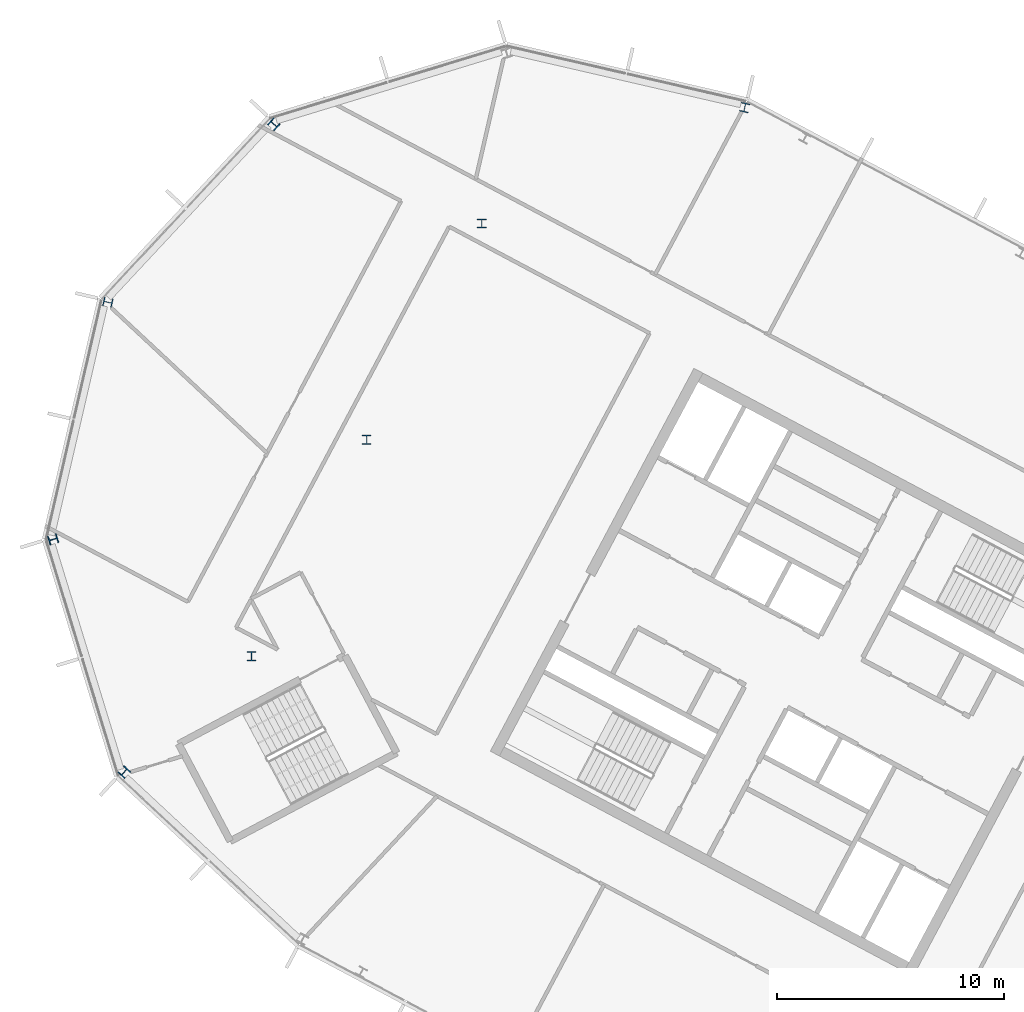
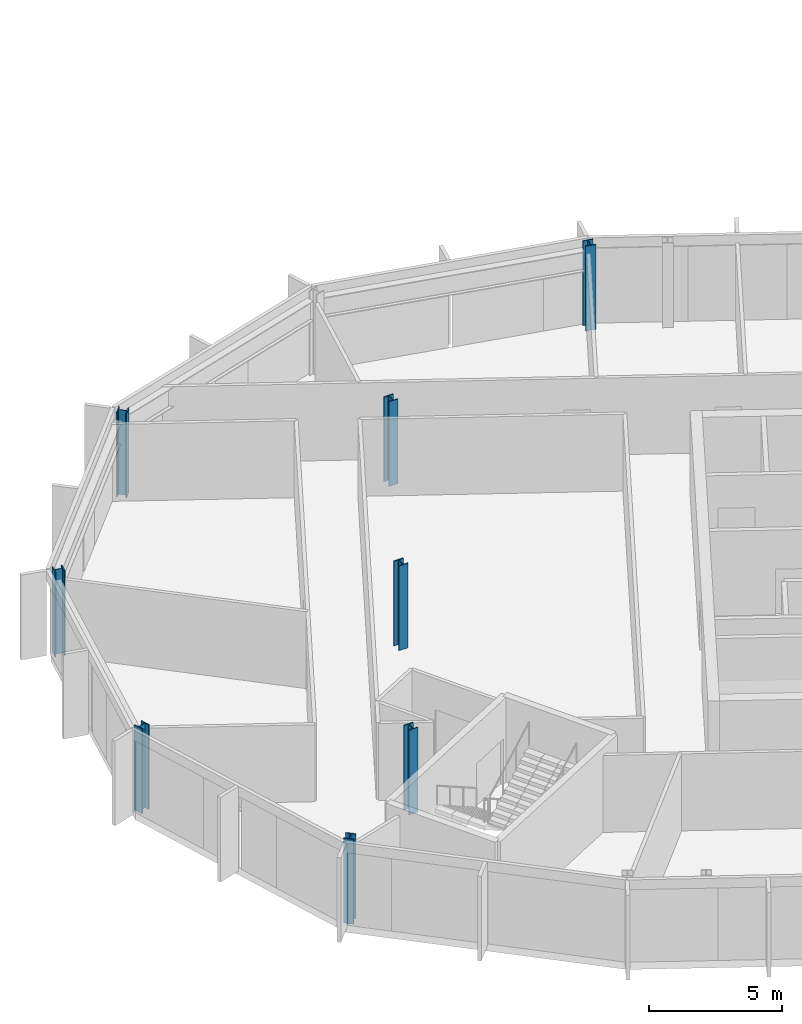
# One storey, part 3 of 26: 8 columns.
"""IFC4 building model written with IfcOpenShell, lengths in metres."""

from ifc_helpers import new_model, si_unit, direction, frame, origin, origin_2d, place, context, subcontext, project, spatial, i_section, extrude, material, material_profile, profile_set, type_object, element, save


model = new_model("IFC4")

# Units and contexts
model_context = context("Model", 3, precision=1e-05, world=origin(), true_north=direction((0.0, 1.0)))
body_context = subcontext(model_context, "Body", "Model", "MODEL_VIEW")
ifc_project = project(units=[si_unit("LENGTHUNIT", "METRE"), si_unit("AREAUNIT", "SQUARE_METRE"), si_unit("VOLUMEUNIT", "CUBIC_METRE"), si_unit("PLANEANGLEUNIT", "RADIAN"), si_unit("MASSUNIT", "GRAM", prefix="KILO")], contexts=[model_context])

# Site, building, storey
site_placement = place(None, origin())
site = spatial("IfcSite", under=ifc_project, at=site_placement, CompositionType="ELEMENT")
building_placement = place(site_placement, origin())
building = spatial("IfcBuilding", under=site, at=building_placement, Name="Cormorant Relay Tower", CompositionType="ELEMENT")
storey_placement = place(building_placement, frame((0.0, 0.0, 304.800048828125)))
storey = spatial("IfcBuildingStorey", under=building, at=storey_placement, Name="L69", CompositionType="ELEMENT", Elevation=304.800048828125)

# Columns
ifc_material = material(Name="Steel ASTM A992 (Fy 345 MPa)", Category="steel")
ifc_material_profile = material_profile(ifc_material, i_section(OverallWidth=0.40380859375, OverallDepth=0.406494140625, WebThickness=0.027099609375, FlangeThickness=0.043701171875, FilletRadius=0.01513671875, at=origin_2d()), Name="W360x347")
ifc_profile_set = profile_set([ifc_material_profile], Name="Steel ASTM A992 (Fy 345 MPa)")
column_type = type_object("IfcColumnType", Name="Column W360x347", PredefinedType="COLUMN", material=ifc_profile_set)
for number, where, z_axis, x_axis, name in (
    (1, (-57.2958984375, 10.152099609375, 0.0), (0.0, 0.0, 1.0), (0.731353701619, -0.681998360062, 0.0), "Column L69-022"),
    (2, (-51.68994140625, 15.251953125, 0.0), (0.0, 0.0, 1.0), (1.0, 0.0, 0.0), "Column L69-026"),
    (3, (-60.429931640625, 20.403076171875, 0.0), (0.0, 0.0, 1.0), (0.292371704723, -0.956304755963, 0.0), "Column L69-028"),
    (4, (-46.6201171875, 24.7880859375, 0.0), (0.0, 0.0, 1.0), (1.0, 0.0, 0.0), "Column L69-030"),
    (5, (-58.01806640625, 30.84912109375, 0.0), (0.0, 0.0, 1.0), (-0.224951054344, -0.974370064785, 0.0), "Column L69-034"),
    (6, (-41.549072265625, 34.323974609375, 0.0), (0.0, 0.0, 1.0), (1.0, 0.0, 0.0), "Column L69-037"),
    (7, (-50.70703125, 38.68896484375, 0.0), (0.0, 0.0, 1.0), (-0.681998360062, -0.731353701619, 0.0), "Column L69-041"),
    (8, (-29.965087890625, 39.425048828125, 0.0), (0.0, 0.0, 1.0), (-0.974370064785, 0.224951054344, 0.0), "Column L69-042"),
):
    element("IfcColumn", number, at=place(storey_placement, frame(where, z_axis=z_axis, x_axis=x_axis)), inside=storey, type_object=column_type, Name=name, PredefinedType="COLUMN", context=body_context, shape_type="SweptSolid", body=[
        extrude(i_section(OverallWidth=0.40380859375, OverallDepth=0.406494140625, WebThickness=0.027099609375, FlangeThickness=0.043701171875, FilletRadius=0.01513671875, at=origin_2d()), origin(), (0.0, 0.0, 1.0), 3.89990234375),
    ])

save(model, "model.ifc")
